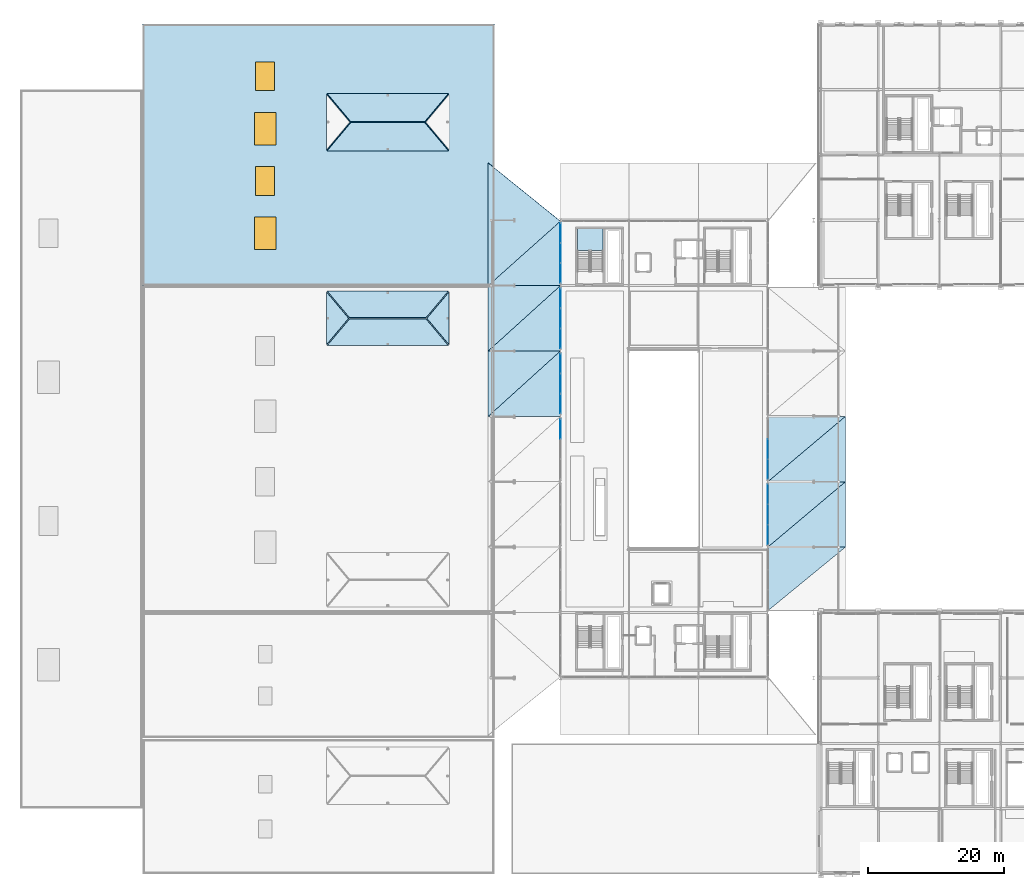
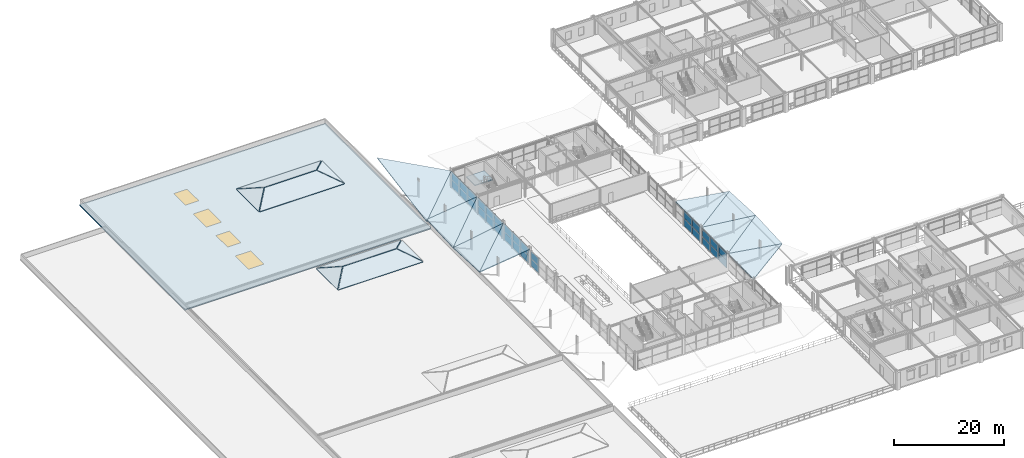
# One storey, part 36 of 81: 30 plates, 21 slabs, 4 windows, 4 openings, 7 elements without a shape of their own.
"""IFC4 building model written with IfcOpenShell, lengths in metres."""

from ifc_helpers import new_model, si_unit, direction, frame, origin, origin_2d, place, context, subcontext, project, spatial, polyline, rectangle, outline, extrude, material, layer, layer_set, type_object, element, fill, aggregate, save


model = new_model("IFC4")

# Units and contexts
model_context = context("Model", 3, precision=1e-05, world=origin(), true_north=direction((0.0, 1.0)))
body_context = subcontext(model_context, "Body", "Model", "MODEL_VIEW")
ifc_project = project(units=[si_unit("LENGTHUNIT", "METRE"), si_unit("AREAUNIT", "SQUARE_METRE"), si_unit("VOLUMEUNIT", "CUBIC_METRE"), si_unit("PLANEANGLEUNIT", "RADIAN"), si_unit("MASSUNIT", "GRAM", prefix="KILO")], contexts=[model_context])

# Site, building, storey
site_placement = place(None, origin())
site = spatial("IfcSite", under=ifc_project, at=site_placement, CompositionType="ELEMENT")
building_placement = place(site_placement, origin())
building = spatial("IfcBuilding", under=site, at=building_placement, Name="Myrtia Square Station", CompositionType="ELEMENT")
storey_placement = place(building_placement, frame((0.0, 0.0, 10.800048828125)))
storey = spatial("IfcBuildingStorey", under=building, at=storey_placement, Name="L02", CompositionType="ELEMENT", Elevation=10.800048828125)

# Curtain wall, plates
ifc_material_1 = material(Name="Dark bronze anodised aluminium", Category="aluminium")
ifc_layer_1 = layer(ifc_material_1, 0.159912109375, Name="Dark bronze anodised aluminium")
ifc_layer_set_1 = layer_set([ifc_layer_1], Name="Dark bronze anodised aluminium")
curtain_wall_type_1 = type_object("IfcCurtainWallType", Name="CW-TYPE-06-890x341", PredefinedType="USERDEFINED", material=ifc_layer_set_1)
curtain_wall_1_placement = place(storey_placement, origin())
curtain_wall_1 = element("IfcCurtainWall", 1, at=curtain_wall_1_placement, inside=storey, type_object=curtain_wall_type_1, Name="Concourse curtain wall CW-L02-026", ObjectType="CONCOURSE CURTAIN WALL", PredefinedType="USERDEFINED")
ifc_material_2 = material(Name="Tinted low-E solar control glass", Category="glass")
ifc_layer_2 = layer(ifc_material_2, 0.028076171875, Name="Tinted low-E solar control glass")
ifc_layer_set_2 = layer_set([ifc_layer_2], Name="Tinted low-E solar control glass")
plate_type_1 = type_object("IfcPlateType", Name="CWP-GLZ-28", PredefinedType="CURTAIN_PANEL", material=ifc_layer_set_2)
plate_1_placement = place(storey_placement, frame((109.800048828125, 59.4482421875, 0.059814453125), z_axis=(0.0, 0.0, 1.0), x_axis=(0.0, 1.0, 0.0)))
plate_1 = element("IfcPlate", 2, at=plate_1_placement, type_object=plate_type_1, Name="CW-026 panel 1.1", PredefinedType="CURTAIN_PANEL", context=body_context, shape_type="SweptSolid", body=[
    extrude(rectangle(XDim=2.876708984375, YDim=0.028076171875, at=origin_2d()), origin(), (0.0, 0.0, 1.0), 1.68310546875),
])
plate_2_placement = place(storey_placement, frame((109.800048828125, 59.4482421875, 1.802734375), z_axis=(0.0, 0.0, 1.0), x_axis=(0.0, 1.0, 0.0)))
plate_2 = element("IfcPlate", 3, at=plate_2_placement, type_object=plate_type_1, Name="CW-026 panel 1.2", PredefinedType="CURTAIN_PANEL", context=body_context, shape_type="SweptSolid", body=[
    extrude(rectangle(XDim=2.876708984375, YDim=0.028076171875, at=origin_2d()), origin(), (0.0, 0.0, 1.0), 1.547119140625),
])
plate_3_placement = place(storey_placement, frame((109.800048828125, 62.39990234375, 0.059814453125), z_axis=(0.0, 0.0, 1.0), x_axis=(0.0, 1.0, 0.0)))
plate_3 = element("IfcPlate", 4, at=plate_3_placement, type_object=plate_type_1, Name="CW-026 panel 2.1", PredefinedType="CURTAIN_PANEL", context=body_context, shape_type="SweptSolid", body=[
    extrude(rectangle(XDim=2.90673828125, YDim=0.028076171875, at=origin_2d()), origin(), (0.0, 0.0, 1.0), 1.68310546875),
])
plate_4_placement = place(storey_placement, frame((109.800048828125, 62.39990234375, 1.802734375), z_axis=(0.0, 0.0, 1.0), x_axis=(0.0, 1.0, 0.0)))
plate_4 = element("IfcPlate", 5, at=plate_4_placement, type_object=plate_type_1, Name="CW-026 panel 2.2", PredefinedType="CURTAIN_PANEL", context=body_context, shape_type="SweptSolid", body=[
    extrude(rectangle(XDim=2.90673828125, YDim=0.028076171875, at=origin_2d()), origin(), (0.0, 0.0, 1.0), 1.547119140625),
])
aggregate(curtain_wall_1, [plate_1, plate_2, plate_3, plate_4])

ifc_layer_3 = layer(ifc_material_1, 0.159912109375, Name="Dark bronze anodised aluminium")
ifc_layer_set_3 = layer_set([ifc_layer_3], Name="Dark bronze anodised aluminium")
curtain_wall_type_2 = type_object("IfcCurtainWallType", Name="CW-TYPE-05-890x341", PredefinedType="USERDEFINED", material=ifc_layer_set_3)
curtain_wall_2_placement = place(storey_placement, origin())
curtain_wall_2 = element("IfcCurtainWall", 6, at=curtain_wall_2_placement, inside=storey, type_object=curtain_wall_type_2, Name="Concourse curtain wall CW-L02-027", ObjectType="CONCOURSE CURTAIN WALL", PredefinedType="USERDEFINED")
plate_5_placement = place(storey_placement, frame((79.35009765625, 69.052001953125, 0.0751953125), z_axis=(0.0, 0.0, 1.0), x_axis=(0.0, 1.0, 0.0)))
plate_5 = element("IfcPlate", 7, at=plate_5_placement, type_object=plate_type_1, Name="CW-027 panel 1.1", PredefinedType="CURTAIN_PANEL", context=body_context, shape_type="SweptSolid", body=[
    extrude(rectangle(XDim=2.854248046875, YDim=0.028076171875, at=origin_2d()), origin(), (0.0, 0.0, 1.0), 1.660400390625),
])
plate_6_placement = place(storey_placement, frame((79.35009765625, 69.052001953125, 1.810546875), z_axis=(0.0, 0.0, 1.0), x_axis=(0.0, 1.0, 0.0)))
plate_6 = element("IfcPlate", 8, at=plate_6_placement, type_object=plate_type_1, Name="CW-027 panel 1.2", PredefinedType="CURTAIN_PANEL", context=body_context, shape_type="SweptSolid", body=[
    extrude(rectangle(XDim=2.854248046875, YDim=0.028076171875, at=origin_2d()), origin(), (0.0, 0.0, 1.0), 1.5244140625),
])
plate_7_placement = place(storey_placement, frame((79.35009765625, 72.0, 0.0751953125), z_axis=(0.0, 0.0, 1.0), x_axis=(0.0, 1.0, 0.0)))
plate_7 = element("IfcPlate", 9, at=plate_7_placement, type_object=plate_type_1, Name="CW-027 panel 2.1", PredefinedType="CURTAIN_PANEL", context=body_context, shape_type="SweptSolid", body=[
    extrude(rectangle(XDim=2.8916015625, YDim=0.028076171875, at=origin_2d()), origin(), (0.0, 0.0, 1.0), 1.660400390625),
])
plate_8_placement = place(storey_placement, frame((79.35009765625, 72.0, 1.810546875), z_axis=(0.0, 0.0, 1.0), x_axis=(0.0, 1.0, 0.0)))
plate_8 = element("IfcPlate", 10, at=plate_8_placement, type_object=plate_type_1, Name="CW-027 panel 2.2", PredefinedType="CURTAIN_PANEL", context=body_context, shape_type="SweptSolid", body=[
    extrude(rectangle(XDim=2.8916015625, YDim=0.028076171875, at=origin_2d()), origin(), (0.0, 0.0, 1.0), 1.5244140625),
])
plate_9_placement = place(storey_placement, frame((79.35009765625, 74.947998046875, 0.0751953125), z_axis=(0.0, 0.0, 1.0), x_axis=(0.0, 1.0, 0.0)))
plate_9 = element("IfcPlate", 11, at=plate_9_placement, type_object=plate_type_1, Name="CW-027 panel 3.1", PredefinedType="CURTAIN_PANEL", context=body_context, shape_type="SweptSolid", body=[
    extrude(rectangle(XDim=2.854248046875, YDim=0.028076171875, at=origin_2d()), origin(), (0.0, 0.0, 1.0), 1.660400390625),
])
plate_10_placement = place(storey_placement, frame((79.35009765625, 74.947998046875, 1.810546875), z_axis=(0.0, 0.0, 1.0), x_axis=(0.0, 1.0, 0.0)))
plate_10 = element("IfcPlate", 12, at=plate_10_placement, type_object=plate_type_1, Name="CW-027 panel 3.2", PredefinedType="CURTAIN_PANEL", context=body_context, shape_type="SweptSolid", body=[
    extrude(rectangle(XDim=2.854248046875, YDim=0.028076171875, at=origin_2d()), origin(), (0.0, 0.0, 1.0), 1.5244140625),
])
aggregate(curtain_wall_2, [plate_5, plate_6, plate_7, plate_8, plate_9, plate_10])

curtain_wall_3_placement = place(storey_placement, origin())
curtain_wall_3 = element("IfcCurtainWall", 13, at=curtain_wall_3_placement, inside=storey, type_object=curtain_wall_type_2, Name="Concourse curtain wall CW-L02-031", ObjectType="CONCOURSE CURTAIN WALL", PredefinedType="USERDEFINED")
plate_11_placement = place(storey_placement, frame((79.35009765625, 88.252197265625, 0.0751953125), z_axis=(0.0, 0.0, 1.0), x_axis=(0.0, 1.0, 0.0)))
plate_11 = element("IfcPlate", 14, at=plate_11_placement, type_object=plate_type_1, Name="CW-031 panel 1.1", PredefinedType="CURTAIN_PANEL", context=body_context, shape_type="SweptSolid", body=[
    extrude(rectangle(XDim=2.854248046875, YDim=0.028076171875, at=origin_2d()), origin(), (0.0, 0.0, 1.0), 1.660400390625),
])
plate_12_placement = place(storey_placement, frame((79.35009765625, 88.252197265625, 1.810546875), z_axis=(0.0, 0.0, 1.0), x_axis=(0.0, 1.0, 0.0)))
plate_12 = element("IfcPlate", 15, at=plate_12_placement, type_object=plate_type_1, Name="CW-031 panel 1.2", PredefinedType="CURTAIN_PANEL", context=body_context, shape_type="SweptSolid", body=[
    extrude(rectangle(XDim=2.854248046875, YDim=0.028076171875, at=origin_2d()), origin(), (0.0, 0.0, 1.0), 1.5244140625),
])
plate_13_placement = place(storey_placement, frame((79.35009765625, 91.199951171875, 0.0751953125), z_axis=(0.0, 0.0, 1.0), x_axis=(0.0, 1.0, 0.0)))
plate_13 = element("IfcPlate", 16, at=plate_13_placement, type_object=plate_type_1, Name="CW-031 panel 2.1", PredefinedType="CURTAIN_PANEL", context=body_context, shape_type="SweptSolid", body=[
    extrude(rectangle(XDim=2.8916015625, YDim=0.028076171875, at=origin_2d()), origin(), (0.0, 0.0, 1.0), 1.660400390625),
])
plate_14_placement = place(storey_placement, frame((79.35009765625, 91.199951171875, 1.810546875), z_axis=(0.0, 0.0, 1.0), x_axis=(0.0, 1.0, 0.0)))
plate_14 = element("IfcPlate", 17, at=plate_14_placement, type_object=plate_type_1, Name="CW-031 panel 2.2", PredefinedType="CURTAIN_PANEL", context=body_context, shape_type="SweptSolid", body=[
    extrude(rectangle(XDim=2.8916015625, YDim=0.028076171875, at=origin_2d()), origin(), (0.0, 0.0, 1.0), 1.5244140625),
])
plate_15_placement = place(storey_placement, frame((79.35009765625, 94.14794921875, 0.0751953125), z_axis=(0.0, 0.0, 1.0), x_axis=(0.0, 1.0, 0.0)))
plate_15 = element("IfcPlate", 18, at=plate_15_placement, type_object=plate_type_1, Name="CW-031 panel 3.1", PredefinedType="CURTAIN_PANEL", context=body_context, shape_type="SweptSolid", body=[
    extrude(rectangle(XDim=2.854248046875, YDim=0.028076171875, at=origin_2d()), origin(), (0.0, 0.0, 1.0), 1.660400390625),
])
plate_16_placement = place(storey_placement, frame((79.35009765625, 94.14794921875, 1.810546875), z_axis=(0.0, 0.0, 1.0), x_axis=(0.0, 1.0, 0.0)))
plate_16 = element("IfcPlate", 19, at=plate_16_placement, type_object=plate_type_1, Name="CW-031 panel 3.2", PredefinedType="CURTAIN_PANEL", context=body_context, shape_type="SweptSolid", body=[
    extrude(rectangle(XDim=2.854248046875, YDim=0.028076171875, at=origin_2d()), origin(), (0.0, 0.0, 1.0), 1.5244140625),
])
aggregate(curtain_wall_3, [plate_11, plate_12, plate_13, plate_14, plate_15, plate_16])

curtain_wall_4_placement = place(storey_placement, origin())
curtain_wall_4 = element("IfcCurtainWall", 20, at=curtain_wall_4_placement, inside=storey, type_object=curtain_wall_type_1, Name="Concourse curtain wall CW-L02-024", ObjectType="CONCOURSE CURTAIN WALL", PredefinedType="USERDEFINED")
ifc_layer_4 = layer(ifc_material_2, 0.035888671875, Name="Tinted low-E solar control glass")
ifc_layer_set_4 = layer_set([ifc_layer_4], Name="Tinted low-E solar control glass")
plate_type_2 = type_object("IfcPlateType", Name="CWP-GLZ-36", PredefinedType="CURTAIN_PANEL", material=ifc_layer_set_4)
plate_17_placement = place(storey_placement, frame((109.800048828125, 49.848388671875, 0.059814453125), z_axis=(0.0, 0.0, 1.0), x_axis=(0.0, 1.0, 0.0)))
plate_17 = element("IfcPlate", 21, at=plate_17_placement, type_object=plate_type_2, Name="CW-024 panel 1.1", PredefinedType="CURTAIN_PANEL", context=body_context, shape_type="SweptSolid", body=[
    extrude(rectangle(XDim=2.876708984375, YDim=0.035888671875, at=origin_2d()), origin(), (0.0, 0.0, 1.0), 1.68310546875),
])
plate_18_placement = place(storey_placement, frame((109.800048828125, 49.848388671875, 1.802734375), z_axis=(0.0, 0.0, 1.0), x_axis=(0.0, 1.0, 0.0)))
plate_18 = element("IfcPlate", 22, at=plate_18_placement, type_object=plate_type_2, Name="CW-024 panel 1.2", PredefinedType="CURTAIN_PANEL", context=body_context, shape_type="SweptSolid", body=[
    extrude(rectangle(XDim=2.876708984375, YDim=0.035888671875, at=origin_2d()), origin(), (0.0, 0.0, 1.0), 1.547119140625),
])
plate_19_placement = place(storey_placement, frame((109.800048828125, 52.800048828125, 0.059814453125), z_axis=(0.0, 0.0, 1.0), x_axis=(0.0, 1.0, 0.0)))
plate_19 = element("IfcPlate", 23, at=plate_19_placement, type_object=plate_type_2, Name="CW-024 panel 2.1", PredefinedType="CURTAIN_PANEL", context=body_context, shape_type="SweptSolid", body=[
    extrude(rectangle(XDim=2.90673828125, YDim=0.035888671875, at=origin_2d()), origin(), (0.0, 0.0, 1.0), 1.68310546875),
])
plate_20_placement = place(storey_placement, frame((109.800048828125, 52.800048828125, 1.802734375), z_axis=(0.0, 0.0, 1.0), x_axis=(0.0, 1.0, 0.0)))
plate_20 = element("IfcPlate", 24, at=plate_20_placement, type_object=plate_type_2, Name="CW-024 panel 2.2", PredefinedType="CURTAIN_PANEL", context=body_context, shape_type="SweptSolid", body=[
    extrude(rectangle(XDim=2.90673828125, YDim=0.035888671875, at=origin_2d()), origin(), (0.0, 0.0, 1.0), 1.547119140625),
])
plate_21_placement = place(storey_placement, frame((109.800048828125, 55.751708984375, 0.059814453125), z_axis=(0.0, 0.0, 1.0), x_axis=(0.0, 1.0, 0.0)))
plate_21 = element("IfcPlate", 25, at=plate_21_placement, type_object=plate_type_2, Name="CW-024 panel 3.1", PredefinedType="CURTAIN_PANEL", context=body_context, shape_type="SweptSolid", body=[
    extrude(rectangle(XDim=2.876708984375, YDim=0.035888671875, at=origin_2d()), origin(), (0.0, 0.0, 1.0), 1.68310546875),
])
plate_22_placement = place(storey_placement, frame((109.800048828125, 55.751708984375, 1.802734375), z_axis=(0.0, 0.0, 1.0), x_axis=(0.0, 1.0, 0.0)))
plate_22 = element("IfcPlate", 26, at=plate_22_placement, type_object=plate_type_2, Name="CW-024 panel 3.2", PredefinedType="CURTAIN_PANEL", context=body_context, shape_type="SweptSolid", body=[
    extrude(rectangle(XDim=2.876708984375, YDim=0.035888671875, at=origin_2d()), origin(), (0.0, 0.0, 1.0), 1.547119140625),
])
aggregate(curtain_wall_4, [plate_17, plate_18, plate_19, plate_20, plate_21, plate_22])

curtain_wall_5_placement = place(storey_placement, origin())
curtain_wall_5 = element("IfcCurtainWall", 27, at=curtain_wall_5_placement, inside=storey, type_object=curtain_wall_type_2, Name="Concourse curtain wall CW-L02-025", ObjectType="CONCOURSE CURTAIN WALL", PredefinedType="USERDEFINED")
plate_23_placement = place(storey_placement, frame((79.35009765625, 65.347900390625, 0.0751953125), z_axis=(0.0, 0.0, 1.0), x_axis=(0.0, 1.0, 0.0)))
plate_23 = element("IfcPlate", 28, at=plate_23_placement, type_object=plate_type_2, Name="CW-025 panel 3.1", PredefinedType="CURTAIN_PANEL", context=body_context, shape_type="SweptSolid", body=[
    extrude(rectangle(XDim=2.854248046875, YDim=0.035888671875, at=origin_2d()), origin(), (0.0, 0.0, 1.0), 1.660400390625),
])
plate_24_placement = place(storey_placement, frame((79.35009765625, 65.347900390625, 1.810546875), z_axis=(0.0, 0.0, 1.0), x_axis=(0.0, 1.0, 0.0)))
plate_24 = element("IfcPlate", 29, at=plate_24_placement, type_object=plate_type_2, Name="CW-025 panel 3.2", PredefinedType="CURTAIN_PANEL", context=body_context, shape_type="SweptSolid", body=[
    extrude(rectangle(XDim=2.854248046875, YDim=0.035888671875, at=origin_2d()), origin(), (0.0, 0.0, 1.0), 1.5244140625),
])
aggregate(curtain_wall_5, [plate_23, plate_24])

curtain_wall_6_placement = place(storey_placement, origin())
curtain_wall_6 = element("IfcCurtainWall", 30, at=curtain_wall_6_placement, inside=storey, type_object=curtain_wall_type_2, Name="Concourse curtain wall CW-L02-029", ObjectType="CONCOURSE CURTAIN WALL", PredefinedType="USERDEFINED")
plate_25_placement = place(storey_placement, frame((79.35009765625, 78.652099609375, 0.0751953125), z_axis=(0.0, 0.0, 1.0), x_axis=(0.0, 1.0, 0.0)))
plate_25 = element("IfcPlate", 31, at=plate_25_placement, type_object=plate_type_2, Name="CW-029 panel 1.1", PredefinedType="CURTAIN_PANEL", context=body_context, shape_type="SweptSolid", body=[
    extrude(rectangle(XDim=2.854248046875, YDim=0.035888671875, at=origin_2d()), origin(), (0.0, 0.0, 1.0), 1.660400390625),
])
plate_26_placement = place(storey_placement, frame((79.35009765625, 78.652099609375, 1.810546875), z_axis=(0.0, 0.0, 1.0), x_axis=(0.0, 1.0, 0.0)))
plate_26 = element("IfcPlate", 32, at=plate_26_placement, type_object=plate_type_2, Name="CW-029 panel 1.2", PredefinedType="CURTAIN_PANEL", context=body_context, shape_type="SweptSolid", body=[
    extrude(rectangle(XDim=2.854248046875, YDim=0.035888671875, at=origin_2d()), origin(), (0.0, 0.0, 1.0), 1.5244140625),
])
plate_27_placement = place(storey_placement, frame((79.35009765625, 81.60009765625, 0.0751953125), z_axis=(0.0, 0.0, 1.0), x_axis=(0.0, 1.0, 0.0)))
plate_27 = element("IfcPlate", 33, at=plate_27_placement, type_object=plate_type_2, Name="CW-029 panel 2.1", PredefinedType="CURTAIN_PANEL", context=body_context, shape_type="SweptSolid", body=[
    extrude(rectangle(XDim=2.8916015625, YDim=0.035888671875, at=origin_2d()), origin(), (0.0, 0.0, 1.0), 1.660400390625),
])
plate_28_placement = place(storey_placement, frame((79.35009765625, 81.60009765625, 1.810546875), z_axis=(0.0, 0.0, 1.0), x_axis=(0.0, 1.0, 0.0)))
plate_28 = element("IfcPlate", 34, at=plate_28_placement, type_object=plate_type_2, Name="CW-029 panel 2.2", PredefinedType="CURTAIN_PANEL", context=body_context, shape_type="SweptSolid", body=[
    extrude(rectangle(XDim=2.8916015625, YDim=0.035888671875, at=origin_2d()), origin(), (0.0, 0.0, 1.0), 1.5244140625),
])
plate_29_placement = place(storey_placement, frame((79.35009765625, 84.5478515625, 0.0751953125), z_axis=(0.0, 0.0, 1.0), x_axis=(0.0, 1.0, 0.0)))
plate_29 = element("IfcPlate", 35, at=plate_29_placement, type_object=plate_type_2, Name="CW-029 panel 3.1", PredefinedType="CURTAIN_PANEL", context=body_context, shape_type="SweptSolid", body=[
    extrude(rectangle(XDim=2.854248046875, YDim=0.035888671875, at=origin_2d()), origin(), (0.0, 0.0, 1.0), 1.660400390625),
])
plate_30_placement = place(storey_placement, frame((79.35009765625, 84.5478515625, 1.810546875), z_axis=(0.0, 0.0, 1.0), x_axis=(0.0, 1.0, 0.0)))
plate_30 = element("IfcPlate", 36, at=plate_30_placement, type_object=plate_type_2, Name="CW-029 panel 3.2", PredefinedType="CURTAIN_PANEL", context=body_context, shape_type="SweptSolid", body=[
    extrude(rectangle(XDim=2.854248046875, YDim=0.035888671875, at=origin_2d()), origin(), (0.0, 0.0, 1.0), 1.5244140625),
])
aggregate(curtain_wall_6, [plate_25, plate_26, plate_27, plate_28, plate_29, plate_30])

# Slabs
ifc_material_3 = material(Name="Concrete C35/45", Category="concrete")
ifc_layer_5 = layer(ifc_material_3, 0.175048828125, Name="Concrete C35/45")
ifc_layer_set_5 = layer_set([ifc_layer_5], Name="Concrete C35/45")
slab_type_1 = type_object("IfcSlabType", Name="SLB-FOLD-175", PredefinedType="ROOF", material=ifc_layer_set_5)
slab_1_placement = place(storey_placement, frame((68.75, 67.199951171875, 2.199951171875), z_axis=(-0.126345846916, 0.0, 0.991986253416), x_axis=(0.991986253416, 0.0, 0.126345846916)))
element("IfcSlab", 37, at=slab_1_placement, inside=storey, type_object=slab_type_1, Name="Lower folded wrap roof west bay 4A", PredefinedType="ROOF", context=body_context, shape_type="SweptSolid", body=[
    extrude(outline(polyline([(0.0, 0.0), (10.685730391669466, 0.0), (10.685730391669466, 9.60009765625), (0.0, 0.0)])), origin(), (0.0, 0.0, -1.0), 0.175048828125),
])
slab_2_placement = place(storey_placement, frame((68.75, 67.199951171875, 2.199951171875), z_axis=(-0.167239167599, 0.046158672903, 0.984835233801), x_axis=(0.737923078254, 0.668308334863, 0.093986701892)))
element("IfcSlab", 38, at=slab_2_placement, inside=storey, type_object=slab_type_1, Name="Lower folded wrap roof west bay 4B", PredefinedType="ROOF", context=body_context, shape_type="SweptSolid", body=[
    extrude(outline(polyline([(0.0, 0.0), (14.36477319740849, 1.3877787807814457e-16), (6.373535852517218, 7.193217069106568), (0.0, 0.0)])), origin(), (0.0, 0.0, -1.0), 0.175048828125),
])
slab_3_placement = place(storey_placement, frame((68.75, 76.800048828125, 1.75), z_axis=(-0.167417614618, 0.0, 0.985886069643), x_axis=(0.985886069643, 0.0, 0.167417614618)))
element("IfcSlab", 39, at=slab_3_placement, inside=storey, type_object=slab_type_1, Name="Lower folded wrap roof west bay 5A", PredefinedType="ROOF", context=body_context, shape_type="SweptSolid", body=[
    extrude(outline(polyline([(0.0, 0.0), (10.751848497150197, 0.0), (10.751848497150197, 9.599853515625), (0.0, 0.0)])), origin(), (0.0, 0.0, -1.0), 0.175048828125),
])
slab_4_placement = place(storey_placement, frame((68.75, 76.800048828125, 1.75), z_axis=(-0.126209501543, -0.046444844759, 0.990915757325), x_axis=(0.735409930478, 0.666015336412, 0.124883168672)))
element("IfcSlab", 40, at=slab_4_placement, inside=storey, type_object=slab_type_1, Name="Lower folded wrap roof west bay 5B", PredefinedType="ROOF", context=body_context, shape_type="SweptSolid", body=[
    extrude(outline(polyline([(0.0, 0.0), (14.413862550584028, -1.5404344466674047e-15), (6.449840996807471, 7.124548736195926), (0.0, 0.0)])), origin(), (0.0, 0.0, -1.0), 0.175048828125),
])
slab_5_placement = place(storey_placement, frame((68.75, 104.39990234375, 4.990966796875), z_axis=(-0.009145490428, -0.177196789211, 0.984132947268), x_axis=(0.0, -0.984174106287, -0.177204200046)))
element("IfcSlab", 41, at=slab_5_placement, inside=storey, type_object=slab_type_1, Name="Lower folded wrap roof NW upturned corner", PredefinedType="ROOF", context=body_context, shape_type="SweptSolid", body=[
    extrude(outline(polyline([(0.0, 0.0), (18.289446841784095, -3.469446951953614e-18), (8.669833103234058, 10.600540980118291), (0.0, 0.0)])), origin(), (0.0, 0.0, -1.0), 0.175048828125),
])
slab_6_placement = place(storey_placement, frame((68.75, 86.39990234375, 1.75), z_axis=(-0.167417614618, 0.0, 0.985886069643), x_axis=(0.985886069643, 0.0, 0.167417614618)))
element("IfcSlab", 42, at=slab_6_placement, inside=storey, type_object=slab_type_1, Name="Lower folded wrap roof NW inner facet", PredefinedType="ROOF", context=body_context, shape_type="SweptSolid", body=[
    extrude(outline(polyline([(0.0, 0.0), (10.751848497150197, 0.0), (10.751848497150197, 9.4501953125), (0.0, 0.0)])), origin(), (0.0, 0.0, -1.0), 0.175048828125),
])
slab_7_placement = place(storey_placement, frame((109.800048828125, 38.64990234375, 3.550048828125), z_axis=(0.155968004888, 0.0, 0.987762107722), x_axis=(0.767496584206, 0.629493814664, -0.121187996645)))
element("IfcSlab", 43, at=slab_7_placement, inside=storey, type_object=slab_type_1, Name="Lower folded wrap roof Myrtia Square SE inner facet", PredefinedType="ROOF", context=body_context, shape_type="SweptSolid", body=[
    extrude(outline(polyline([(0.0, 0.0), (14.853359061575354, 1.8596235662471372e-15), (5.885828641116784, 7.265077245894988), (0.0, 0.0)])), origin(), (0.0, 0.0, -1.0), 0.175048828125),
])
slab_8_placement = place(storey_placement, frame((109.800048828125, 48.0, 3.550048828125), z_axis=(0.155778154037, -0.04932547917, 0.986559761915), x_axis=(0.987762107722, 0.0, -0.155968004888)))
element("IfcSlab", 44, at=slab_8_placement, inside=storey, type_object=slab_type_1, Name="Lower folded wrap roof east square bay 1A", PredefinedType="ROOF", context=body_context, shape_type="SweptSolid", body=[
    extrude(outline(polyline([(0.0, 0.0), (11.541141591310234, 0.0), (11.466279995214157, 9.611797542673699), (0.0, 0.0)])), origin(), (0.0, 0.0, -1.0), 0.175048828125),
])
slab_9_placement = place(storey_placement, frame((109.800048828125, 48.0, 3.550048828125), z_axis=(0.115027836272, 0.0, 0.993362268703), x_axis=(0.76192236051, 0.641630853214, -0.088227913721)))
element("IfcSlab", 45, at=slab_9_placement, inside=storey, type_object=slab_type_1, Name="Lower folded wrap roof east square bay 1B", PredefinedType="ROOF", context=body_context, shape_type="SweptSolid", body=[
    extrude(outline(polyline([(0.0, 0.0), (14.962026230761545, -5.967448757360216e-16), (6.159718850114986, 7.3634053736756115), (0.0, 0.0)])), origin(), (0.0, 0.0, -1.0), 0.175048828125),
])
slab_10_placement = place(storey_placement, frame((109.800048828125, 57.60009765625, 3.550048828125), z_axis=(0.114886223112, 0.049605704399, 0.992139319768), x_axis=(0.993362268703, 0.0, -0.115027836272)))
element("IfcSlab", 46, at=slab_10_placement, inside=storey, type_object=slab_type_1, Name="Lower folded wrap roof east square bay 2A", PredefinedType="ROOF", context=body_context, shape_type="SweptSolid", body=[
    extrude(outline(polyline([(0.0, 0.0), (11.476077462289098, 0.0), (11.531288577062147, 9.611686662841475), (0.0, 0.0)])), origin(), (0.0, 0.0, -1.0), 0.175048828125),
])
slab_11_placement = place(storey_placement, frame((109.800048828125, 57.60009765625, 3.550048828125), z_axis=(0.155968004888, 0.0, 0.987762107722), x_axis=(0.759394417289, 0.639485755819, -0.11990866147)))
element("IfcSlab", 47, at=slab_11_placement, inside=storey, type_object=slab_type_1, Name="Lower folded wrap roof east square bay 2B", PredefinedType="ROOF", context=body_context, shape_type="SweptSolid", body=[
    extrude(outline(polyline([(0.0, 0.0), (15.011833224231097, -3.608224830031759e-16), (6.138969581190372, 7.3803956535322), (0.0, 0.0)])), origin(), (0.0, 0.0, -1.0), 0.175048828125),
])
ifc_layer_6 = layer(ifc_material_3, 0.18505859375, Name="Concrete C35/45")
ifc_layer_set_6 = layer_set([ifc_layer_6], Name="Concrete C35/45")
slab_type_2 = type_object("IfcSlabType", Name="SLB-HIP-185", PredefinedType="ROOF", material=ifc_layer_set_6)
slab_12_placement = place(storey_placement, frame((45.111083984375, 77.60009765625, 0.19189453125), z_axis=(0.0, -0.380964402072, 0.924589705953), x_axis=(1.0, 0.0, 0.0)))
element("IfcSlab", 48, at=slab_12_placement, inside=storey, type_object=slab_type_2, Name="Spanish terracotta hipped roof MON-V1-3 S", PredefinedType="ROOF", context=body_context, shape_type="SweptSolid", body=[
    extrude(outline(polyline([(0.0, 0.0), (17.77783203125, 0.0), (14.4892578125, 4.234088803574997), (3.28857421875, 4.234088803574997), (0.0, 0.0)])), origin(), (0.0, 0.0, -1.0), 0.18505859375),
])
slab_13_placement = place(storey_placement, frame((62.888916015625, 85.60009765625, 0.19189453125), z_axis=(0.0, 0.380944092894, 0.924598073808), x_axis=(-1.0, 0.0, 0.0)))
element("IfcSlab", 49, at=slab_13_placement, inside=storey, type_object=slab_type_2, Name="Spanish terracotta hipped roof MON-V1-3 N", PredefinedType="ROOF", context=body_context, shape_type="SweptSolid", body=[
    extrude(outline(polyline([(0.0, 0.0), (17.77783203125, 0.0), (14.4892578125, 4.23431453450517), (3.28857421875, 4.23431453450517), (0.0, 0.0)])), origin(), (0.0, 0.0, -1.0), 0.18505859375),
])
slab_14_placement = place(storey_placement, frame((45.0, 85.4677734375, 0.19189453125), z_axis=(-0.440400369872, 0.0, 0.897801489315), x_axis=(0.0, -1.0, 0.0)))
element("IfcSlab", 50, at=slab_14_placement, inside=storey, type_object=slab_type_2, Name="Spanish terracotta hipped roof MON-V1-3 W", PredefinedType="ROOF", context=body_context, shape_type="SweptSolid", body=[
    extrude(outline(polyline([(0.0, 0.0), (7.735595703125, 0.0), (3.86767578125, 3.6188661704910166), (0.0, 0.0)])), origin(), (0.0, 0.0, -1.0), 0.18505859375),
])
slab_15_placement = place(storey_placement, frame((63.0, 77.732177734375, 0.19189453125), z_axis=(0.440400369872, 0.0, 0.897801489315), x_axis=(0.0, 1.0, 0.0)))
element("IfcSlab", 51, at=slab_15_placement, inside=storey, type_object=slab_type_2, Name="Spanish terracotta hipped roof MON-V1-3 E", PredefinedType="ROOF", context=body_context, shape_type="SweptSolid", body=[
    extrude(outline(polyline([(0.0, 0.0), (7.735595703125, 0.0), (3.867919921875, 3.6188661704910166), (0.0, 0.0)])), origin(), (0.0, 0.0, -1.0), 0.18505859375),
])
for number, where, z_axis, x_axis, name in (
    (52, (45.111083984375, 106.199951171875, 0.19189453125), (0.0, -0.365288378546, 0.930894408888), (1.0, 0.0, 0.0), "Spanish terracotta hipped roof MON-V1-4 S"),
    (53, (62.888916015625, 114.60009765625, 0.19189453125), (0.0, 0.365288378546, 0.930894408888), (-1.0, 0.0, 0.0), "Spanish terracotta hipped roof MON-V1-4 N"),
):
    element("IfcSlab", number, at=place(storey_placement, frame(where, z_axis=z_axis, x_axis=x_axis)), inside=storey, type_object=slab_type_2, Name=name, PredefinedType="ROOF", context=body_context, shape_type="SweptSolid", body=[
        extrude(outline(polyline([(0.0, 0.0), (17.77783203125, 0.0), (14.3212890625, 4.420469384158485), (3.45654296875, 4.420469384158485), (0.0, 0.0)])), origin(), (0.0, 0.0, -1.0), 0.18505859375),
    ])
slab_16_placement = place(storey_placement, frame((45.0, 114.4677734375, 0.19189453125), z_axis=(-0.423232731331, 0.0, 0.906021001484), x_axis=(0.0, -1.0, 0.0)))
element("IfcSlab", 54, at=slab_16_placement, inside=storey, type_object=slab_type_2, Name="Spanish terracotta hipped roof MON-V1-4 W", PredefinedType="ROOF", context=body_context, shape_type="SweptSolid", body=[
    extrude(outline(polyline([(0.0, 0.0), (8.135498046875, 0.0), (4.06787109375, 3.7714271323760697), (0.0, 0.0)])), origin(), (0.0, 0.0, -1.0), 0.18505859375),
])
slab_17_placement = place(storey_placement, frame((63.0, 106.332275390625, 0.19189453125), z_axis=(0.423232731331, 0.0, 0.906021001484), x_axis=(0.0, 1.0, 0.0)))
element("IfcSlab", 55, at=slab_17_placement, inside=storey, type_object=slab_type_2, Name="Spanish terracotta hipped roof MON-V1-4 E", PredefinedType="ROOF", context=body_context, shape_type="SweptSolid", body=[
    extrude(outline(polyline([(0.0, 0.0), (8.135498046875, 0.0), (4.067626953125, 3.7714271323760697), (0.0, 0.0)])), origin(), (0.0, 0.0, -1.0), 0.18505859375),
])

# Stair, slab
stair_type = type_object("IfcStairType", Name="STR-04-24R-1800W", PredefinedType="HALF_TURN_STAIR", material=ifc_material_3)
stair_placement = place(storey_placement, origin())
stair = element("IfcStair", 56, at=stair_placement, inside=storey, type_object=stair_type, Name="L02 Core escape stair ST02", PredefinedType="HALF_TURN_STAIR")
ifc_layer_7 = layer(ifc_material_3, 0.199951171875, Name="Concrete C35/45")
ifc_layer_set_7 = layer_set([ifc_layer_7], Name="Concrete C35/45")
slab_type_3 = type_object("IfcSlabType", Name="SLB-LAND-200", PredefinedType="LANDING", material=ifc_layer_set_7)
slab_18_placement = place(storey_placement, frame((0.0, 0.0, 1.89990234375)))
slab_18 = element("IfcSlab", 57, at=slab_18_placement, type_object=slab_type_3, Name="ST02 landing 1", PredefinedType="LANDING", context=body_context, shape_type="SweptSolid", body=[
    extrude(outline(polyline([(85.610107421875, 91.530029296875), (85.610107421875, 94.75), (81.85009765625, 94.75), (81.85009765625, 91.530029296875), (85.610107421875, 91.530029296875)])), origin(), (0.0, 0.0, 1.0), 0.199951171875),
])
aggregate(stair, [slab_18])

# Slab, openings, windows
ifc_layer_8 = layer(ifc_material_3, 0.2451171875, Name="Concrete C35/45")
ifc_layer_set_8 = layer_set([ifc_layer_8], Name="Concrete C35/45")
slab_type_4 = type_object("IfcSlabType", Name="SLB-ROOF-245", PredefinedType="ROOF", material=ifc_layer_set_8)
slab_19_placement = place(storey_placement, frame((0.0, 0.0, -0.2451171875)))
slab_19 = element("IfcSlab", 58, at=slab_19_placement, inside=storey, type_object=slab_type_4, Name="Flat roof deck ROOF-L02-V1N", PredefinedType="ROOF", context=body_context, shape_type="SweptSolid", body=[
    extrude(outline(polyline([(18.0, 86.39990234375), (69.64990234375, 86.39990234375), (69.64990234375, 124.800048828125), (18.0, 124.800048828125), (18.0, 86.39990234375)])), origin(), (0.0, 0.0, 1.0), 0.2451171875),
])
opening_1_placement = place(slab_19_placement, frame((36.0, 94.080078125, 0.0)))
opening_1 = element("IfcOpeningElement", 59, at=opening_1_placement, cuts=slab_19, Name="Opening SK-014", PredefinedType="OPENING", context=body_context, shape_type="SweptSolid", body=[
    extrude(rectangle(XDim=3.199951171875, YDim=4.800048828125, at=origin_2d()), frame((0.0, 0.0, -0.014892578125), z_axis=(0.0, 0.0, 1.0), x_axis=(1.0, 0.0, 0.0)), (0.0, 0.0, 1.0), 0.275146484375),
])
opening_2_placement = place(slab_19_placement, frame((36.0, 101.760009765625, 0.0)))
opening_2 = element("IfcOpeningElement", 60, at=opening_2_placement, cuts=slab_19, Name="Opening SK-015", PredefinedType="OPENING", context=body_context, shape_type="SweptSolid", body=[
    extrude(rectangle(XDim=2.800048828125, YDim=4.199951171875, at=origin_2d()), frame((0.0, 0.0, -0.014892578125), z_axis=(0.0, 0.0, 1.0), x_axis=(1.0, 0.0, 0.0)), (0.0, 0.0, 1.0), 0.275146484375),
])
opening_3_placement = place(slab_19_placement, frame((36.0, 109.43994140625, 0.0)))
opening_3 = element("IfcOpeningElement", 61, at=opening_3_placement, cuts=slab_19, Name="Opening SK-016", PredefinedType="OPENING", context=body_context, shape_type="SweptSolid", body=[
    extrude(rectangle(XDim=3.199951171875, YDim=4.800048828125, at=origin_2d()), frame((0.0, 0.0, -0.014892578125), z_axis=(0.0, 0.0, 1.0), x_axis=(1.0, 0.0, 0.0)), (0.0, 0.0, 1.0), 0.275146484375),
])
opening_4_placement = place(slab_19_placement, frame((36.0, 117.1201171875, 0.0)))
opening_4 = element("IfcOpeningElement", 62, at=opening_4_placement, cuts=slab_19, Name="Opening SK-017", PredefinedType="OPENING", context=body_context, shape_type="SweptSolid", body=[
    extrude(rectangle(XDim=2.800048828125, YDim=4.199951171875, at=origin_2d()), frame((0.0, 0.0, -0.014892578125), z_axis=(0.0, 0.0, 1.0), x_axis=(1.0, 0.0, 0.0)), (0.0, 0.0, 1.0), 0.275146484375),
])
window_type_1 = type_object("IfcWindowType", Name="SKY-SHED-2800x4200", PartitioningType="SINGLE_PANEL", PredefinedType="SKYLIGHT", material=ifc_material_2)
window_1_placement = place(opening_2_placement, frame((0.0, 0.0, 0.195068359375)))
window_1 = element("IfcWindow", 63, at=window_1_placement, inside=storey, type_object=window_type_1, Name="Train shed skylight SK-015", OverallHeight=4.199951171875, OverallWidth=2.800048828125, PartitioningType="SINGLE_PANEL", PredefinedType="SKYLIGHT", context=body_context, shape_type="SweptSolid", body=[
    extrude(rectangle(XDim=2.800048828125, YDim=4.199951171875, at=origin_2d()), origin(), (0.0, 0.0, 1.0), 0.050048828125),
])
fill(opening_2, window_1)
window_2_placement = place(opening_4_placement, frame((0.0, 0.0, 0.195068359375)))
window_2 = element("IfcWindow", 64, at=window_2_placement, inside=storey, type_object=window_type_1, Name="Train shed skylight SK-017", OverallHeight=4.199951171875, OverallWidth=2.800048828125, PartitioningType="SINGLE_PANEL", PredefinedType="SKYLIGHT", context=body_context, shape_type="SweptSolid", body=[
    extrude(rectangle(XDim=2.800048828125, YDim=4.199951171875, at=origin_2d()), origin(), (0.0, 0.0, 1.0), 0.050048828125),
])
fill(opening_4, window_2)
window_type_2 = type_object("IfcWindowType", Name="SKY-SHED-3200x4800", PartitioningType="SINGLE_PANEL", PredefinedType="SKYLIGHT", material=ifc_material_2)
window_3_placement = place(opening_1_placement, frame((0.0, 0.0, 0.195068359375)))
window_3 = element("IfcWindow", 65, at=window_3_placement, inside=storey, type_object=window_type_2, Name="Train shed skylight SK-014", OverallHeight=4.800048828125, OverallWidth=3.199951171875, PartitioningType="SINGLE_PANEL", PredefinedType="SKYLIGHT", context=body_context, shape_type="SweptSolid", body=[
    extrude(rectangle(XDim=3.199951171875, YDim=4.800048828125, at=origin_2d()), origin(), (0.0, 0.0, 1.0), 0.050048828125),
])
fill(opening_1, window_3)
window_4_placement = place(opening_3_placement, frame((0.0, 0.0, 0.195068359375)))
window_4 = element("IfcWindow", 66, at=window_4_placement, inside=storey, type_object=window_type_2, Name="Train shed skylight SK-016", OverallHeight=4.800048828125, OverallWidth=3.199951171875, PartitioningType="SINGLE_PANEL", PredefinedType="SKYLIGHT", context=body_context, shape_type="SweptSolid", body=[
    extrude(rectangle(XDim=3.199951171875, YDim=4.800048828125, at=origin_2d()), origin(), (0.0, 0.0, 1.0), 0.050048828125),
])
fill(opening_3, window_4)

save(model, "model.ifc")
